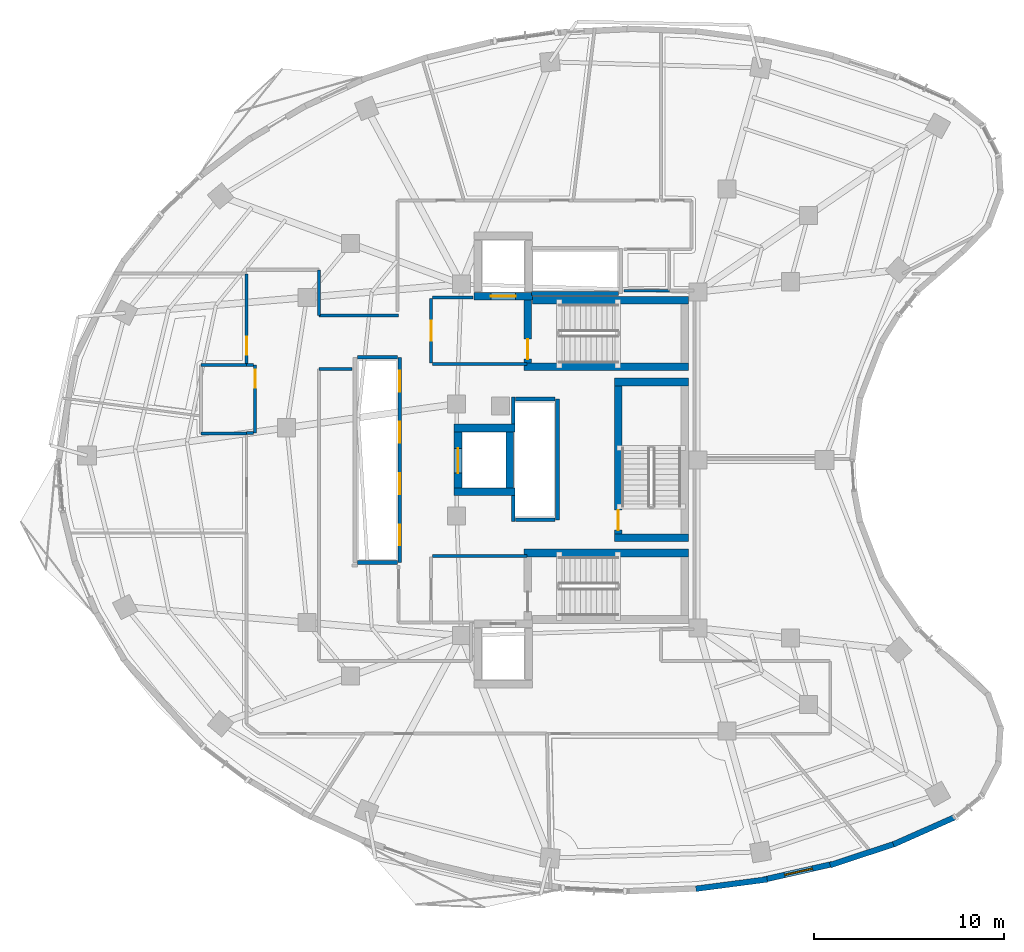
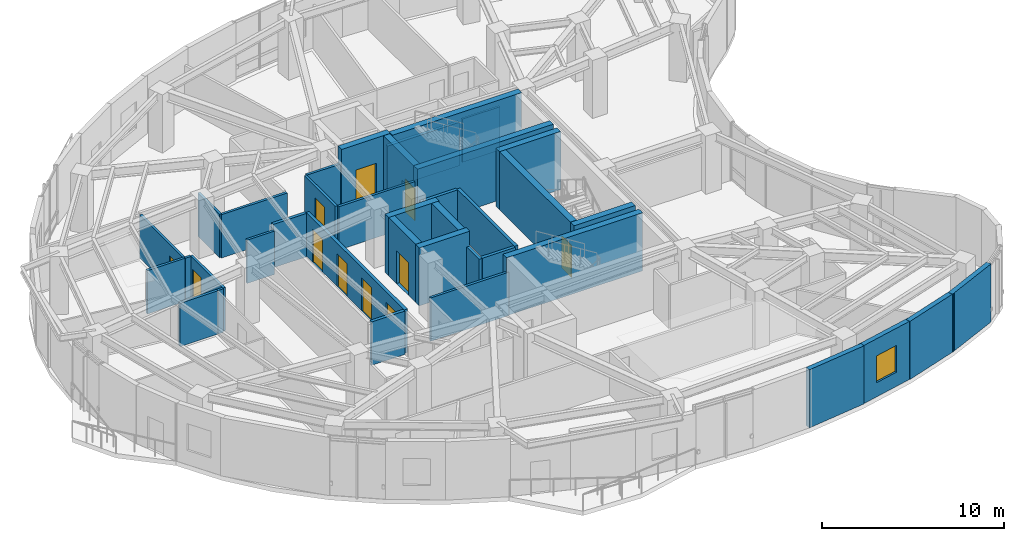
# One storey, part 9 of 15: 39 walls, 11 doors, 1 window, 12 openings.
"""IFC4 building model written with IfcOpenShell, lengths in metres."""

from ifc_helpers import new_model, si_unit, direction, frame, frame_2d, origin, place, context, subcontext, project, spatial, rectangle, extrude, material, layer, layer_set, type_object, element, fill, save


model = new_model("IFC4")

# Units and contexts
model_context = context("Model", 3, precision=1e-05, world=origin(), true_north=direction((0.0, 1.0)))
body_context = subcontext(model_context, "Body", "Model", "MODEL_VIEW")
ifc_project = project(units=[si_unit("LENGTHUNIT", "METRE"), si_unit("AREAUNIT", "SQUARE_METRE"), si_unit("VOLUMEUNIT", "CUBIC_METRE"), si_unit("PLANEANGLEUNIT", "RADIAN"), si_unit("MASSUNIT", "GRAM", prefix="KILO")], contexts=[model_context])

# Site, building, storey
site_placement = place(None, origin())
site = spatial("IfcSite", under=ifc_project, at=site_placement, CompositionType="ELEMENT")
building_placement = place(site_placement, origin())
building = spatial("IfcBuilding", under=site, at=building_placement, Name="Korentha Bioscience Tower", CompositionType="ELEMENT")
storey_placement = place(building_placement, frame((0.0, 0.0, 226.800048828125)))
storey = spatial("IfcBuildingStorey", under=building, at=storey_placement, Name="L52", CompositionType="ELEMENT", Elevation=226.800048828125)

# Wall, opening, door
ifc_material_1 = material(Name="Double-Stud Acoustic Gypsum", Category="gypsum")
ifc_layer_1 = layer(ifc_material_1, 0.14990234375, Name="Double-Stud Acoustic Gypsum")
ifc_layer_set_1 = layer_set([ifc_layer_1], Name="Double-Stud Acoustic Gypsum (IW-L150)")
wall_type_1 = type_object("IfcWallType", Name="Acoustic Laboratory Partition Wall 150", PredefinedType="PARTITIONING", material=ifc_layer_set_1)
wall_1_placement = place(storey_placement, frame((13.7900390625, 36.7919921875, 0.0), z_axis=(0.0, 0.0, 1.0), x_axis=(0.0, -1.0, 0.0)))
wall_1 = element("IfcWall", 1, at=wall_1_placement, inside=storey, type_object=wall_type_1, Name="L52 Neurobiology Electrophysiology Lab 11 Entrance Wall", PredefinedType="PARTITIONING", context=body_context, shape_type="SweptSolid", body=[
    extrude(rectangle(XDim=4.781982421875, YDim=0.14990234375, at=frame_2d((2.39111328125, 0.0))), origin(), (0.0, 0.0, 1.0), 2.909912109375),
])
opening_1_placement = place(wall_1_placement, frame((3.312255859375, 0.0, 0.0)))
opening_1 = element("IfcOpeningElement", 2, at=opening_1_placement, cuts=wall_1, Name="Opening ID-10L", PredefinedType="OPENING", context=body_context, shape_type="SweptSolid", body=[
    extrude(rectangle(XDim=0.949951171875, YDim=2.14990234375, at=frame_2d((0.47509765625, 1.074951171875))), frame((0.0, 0.08984375, 0.0), z_axis=(0.0, -1.0, 0.0), x_axis=(1.0, 0.0, 0.0)), (0.0, 0.0, 1.0), 0.1796875),
])
ifc_material_2 = material(Name="Phenolic Laminate Timber Core", Category="wood")
door_type_1 = type_object("IfcDoorType", Name="Laboratory Single Leaf Door 950x2150 Left", OperationType="SINGLE_SWING_LEFT", PredefinedType="DOOR", material=ifc_material_2)
door_1_placement = place(opening_1_placement, origin())
door_1 = element("IfcDoor", 3, at=door_1_placement, inside=storey, type_object=door_type_1, Name="L52 Neurobiology Electrophysiology Lab 11 Door", OperationType="SINGLE_SWING_LEFT", OverallHeight=2.14990234375, OverallWidth=0.949951171875, PredefinedType="DOOR", context=body_context, shape_type="SweptSolid", body=[
    extrude(rectangle(XDim=0.949951171875, YDim=2.14990234375, at=frame_2d((0.47509765625, 1.074951171875))), frame((0.0, 0.02490234375, 0.0), z_axis=(0.0, -1.0, 0.0), x_axis=(1.0, 0.0, 0.0)), (0.0, 0.0, 1.0), 0.050048828125),
])
fill(opening_1, door_1)

# Wall
wall_2_placement = place(storey_placement, frame((17.610107421875, 31.7900390625, 0.0), z_axis=(0.0, 0.0, 1.0), x_axis=(1.0, 0.0, 0.0)))
element("IfcWall", 4, at=wall_2_placement, inside=storey, type_object=wall_type_1, Name="L52 Interior Partition 028", PredefinedType="PARTITIONING", context=body_context, shape_type="SweptSolid", body=[
    extrude(rectangle(XDim=1.72998046875, YDim=0.14990234375, at=frame_2d((0.864990234375, 0.0))), origin(), (0.0, 0.0, 1.0), 2.909912109375),
])

# Wall, opening, door
ifc_material_3 = material(Name="Gypsum-Clad Steel Stud", Category="steel")
ifc_layer_2 = layer(ifc_material_3, 0.159912109375, Name="Gypsum-Clad Steel Stud")
ifc_layer_set_2 = layer_set([ifc_layer_2], Name="Gypsum-Clad Steel Stud (IW-C160)")
wall_type_2 = type_object("IfcWallType", Name="Fire-Rated Corridor Partition Wall 160", PredefinedType="PARTITIONING", material=ifc_layer_set_2)
wall_3_placement = place(storey_placement, frame((23.5, 32.10009765625, 0.0), z_axis=(0.0, 0.0, 1.0), x_axis=(0.0, 1.0, 0.0)))
wall_3 = element("IfcWall", 5, at=wall_3_placement, inside=storey, type_object=wall_type_2, Name="L52 FFLN-CW Rated Enclosure Wall", PredefinedType="PARTITIONING", context=body_context, shape_type="SweptSolid", body=[
    extrude(rectangle(XDim=3.39990234375, YDim=0.159912109375, at=frame_2d((1.699951171875, 0.0))), origin(), (0.0, 0.0, 1.0), 2.909912109375),
])
opening_2_placement = place(wall_3_placement, frame((1.175048828125, 0.0, 0.0)))
opening_2 = element("IfcOpeningElement", 6, at=opening_2_placement, cuts=wall_3, Name="Opening FD-90L", PredefinedType="OPENING", context=body_context, shape_type="SweptSolid", body=[
    extrude(rectangle(XDim=1.050048828125, YDim=2.14990234375, at=frame_2d((0.52490234375, 1.074951171875))), frame((0.0, 0.0947265625, 0.0), z_axis=(0.0, -1.0, 0.0), x_axis=(1.0, 0.0, 0.0)), (0.0, 0.0, 1.0), 0.189697265625),
])
ifc_material_4 = material(Name="Powder-Coated Fire-Rated Steel", Category="steel")
door_type_2 = type_object("IfcDoorType", Name="Stairwell Fire Exit Door 1050x2150 Left", OperationType="SINGLE_SWING_LEFT", PredefinedType="DOOR", material=ifc_material_4)
door_2_placement = place(opening_2_placement, origin())
door_2 = element("IfcDoor", 7, at=door_2_placement, inside=storey, type_object=door_type_2, Name="L52 North Firefighting Lobby Door", OperationType="SINGLE_SWING_LEFT", OverallHeight=2.14990234375, OverallWidth=1.050048828125, PredefinedType="DOOR", context=body_context, shape_type="SweptSolid", body=[
    extrude(rectangle(XDim=1.050048828125, YDim=2.14990234375, at=frame_2d((0.52490234375, 1.074951171875))), frame((0.0, 0.02490234375, 0.0), z_axis=(0.0, -1.0, 0.0), x_axis=(1.0, 0.0, 0.0)), (0.0, 0.0, 1.0), 0.050048828125),
])
fill(opening_2, door_2)

# Walls
wall_4_placement = place(storey_placement, frame((23.580078125, 32.050048828125, 0.0), z_axis=(0.0, 0.0, 1.0), x_axis=(1.0, 0.0, 0.0)))
element("IfcWall", 8, at=wall_4_placement, inside=storey, type_object=wall_type_2, Name="L52 Firefighting Lobby Return Wall FFLN-S", PredefinedType="PARTITIONING", context=body_context, shape_type="SweptSolid", body=[
    extrude(rectangle(XDim=4.969970703125, YDim=0.159912109375, at=frame_2d((2.48486328125, 0.0))), origin(), (0.0, 0.0, 1.0), 2.909912109375),
])
wall_5_placement = place(storey_placement, frame((23.580078125, 35.550048828125, 0.0), z_axis=(0.0, 0.0, 1.0), x_axis=(1.0, 0.0, 0.0)))
element("IfcWall", 9, at=wall_5_placement, inside=storey, type_object=wall_type_2, Name="L52 Firefighting Lobby Return Wall FFLN-N", PredefinedType="PARTITIONING", context=body_context, shape_type="SweptSolid", body=[
    extrude(rectangle(XDim=2.119873046875, YDim=0.159912109375, at=frame_2d((1.06005859375, 0.0))), origin(), (0.0, 0.0, 1.0), 2.909912109375),
])
wall_6_placement = place(storey_placement, frame((23.580078125, 21.949951171875, 0.0), z_axis=(0.0, 0.0, 1.0), x_axis=(1.0, 0.0, 0.0)))
element("IfcWall", 10, at=wall_6_placement, inside=storey, type_object=wall_type_2, Name="L52 Firefighting Lobby Return Wall FFLS-N", PredefinedType="PARTITIONING", context=body_context, shape_type="SweptSolid", body=[
    extrude(rectangle(XDim=4.969970703125, YDim=0.159912109375, at=frame_2d((2.48486328125, 0.0))), origin(), (0.0, 0.0, 1.0), 2.909912109375),
])

# Wall, opening, door
wall_7_placement = place(storey_placement, frame((14.239990234375, 31.989990234375, 0.0), z_axis=(0.0, 0.0, 1.0), x_axis=(0.0, -1.0, 0.0)))
wall_7 = element("IfcWall", 11, at=wall_7_placement, inside=storey, type_object=wall_type_2, Name="L52 Reclaimed Bank-1 North Data Closet Entrance Wall", PredefinedType="PARTITIONING", context=body_context, shape_type="SweptSolid", body=[
    extrude(rectangle(XDim=3.580078125, YDim=0.159912109375, at=frame_2d((1.7900390625, 0.0))), origin(), (0.0, 0.0, 1.0), 2.909912109375),
])
opening_3_placement = place(wall_7_placement, frame((0.239990234375, 0.0, 0.0)))
opening_3 = element("IfcOpeningElement", 12, at=opening_3_placement, cuts=wall_7, Name="Opening ID-10R", PredefinedType="OPENING", context=body_context, shape_type="SweptSolid", body=[
    extrude(rectangle(XDim=0.949951171875, YDim=2.14990234375, at=frame_2d((0.47509765625, 1.074951171875))), frame((0.0, 0.0947265625, 0.0), z_axis=(0.0, -1.0, 0.0), x_axis=(1.0, 0.0, 0.0)), (0.0, 0.0, 1.0), 0.189697265625),
])
door_type_3 = type_object("IfcDoorType", Name="Laboratory Single Leaf Door 950x2150 Right", OperationType="SINGLE_SWING_RIGHT", PredefinedType="DOOR", material=ifc_material_2)
door_3_placement = place(opening_3_placement, origin())
door_3 = element("IfcDoor", 13, at=door_3_placement, inside=storey, type_object=door_type_3, Name="L52 Reclaimed Bank-1 North Data Closet Door", OperationType="SINGLE_SWING_RIGHT", OverallHeight=2.14990234375, OverallWidth=0.949951171875, PredefinedType="DOOR", context=body_context, shape_type="SweptSolid", body=[
    extrude(rectangle(XDim=0.949951171875, YDim=2.14990234375, at=frame_2d((0.47509765625, 1.074951171875))), frame((0.0, 0.02490234375, 0.0), z_axis=(0.0, -1.0, 0.0), x_axis=(1.0, 0.0, 0.0)), (0.0, 0.0, 1.0), 0.050048828125),
])
fill(opening_3, door_3)

# Walls
for number, where, z_axis, x_axis, name in (
    (14, (13.800048828125, 31.989990234375, 0.0), (0.0, 0.0, 1.0), (1.0, 0.0, 0.0), "L52 Interior Partition 016"),
    (15, (14.156982421875, 28.409912109375, 0.0), (0.0, 0.0, 1.0), (-1.0, 0.0, 0.0), "L52 Interior Partition 017"),
):
    element("IfcWall", number, at=place(storey_placement, frame(where, z_axis=z_axis, x_axis=x_axis)), inside=storey, type_object=wall_type_2, Name=name, PredefinedType="PARTITIONING", context=body_context, shape_type="SweptSolid", body=[
        extrude(rectangle(XDim=0.35693359375, YDim=0.159912109375, at=frame_2d((0.178466796875, 0.0))), origin(), (0.0, 0.0, 1.0), 2.909912109375),
    ])
for number, where, z_axis, x_axis, name in (
    (16, (13.7900390625, 28.39990234375, 0.0), (0.0, 0.0, 1.0), (-1.0, 0.0, 0.0), "L52 Interior Partition 018"),
    (17, (11.39990234375, 32.0, 0.0), (0.0, 0.0, 1.0), (1.0, 0.0, 0.0), "L52 Interior Partition 020"),
):
    element("IfcWall", number, at=place(storey_placement, frame(where, z_axis=z_axis, x_axis=x_axis)), inside=storey, type_object=wall_type_2, Name=name, PredefinedType="PARTITIONING", context=body_context, shape_type="SweptSolid", body=[
        extrude(rectangle(XDim=2.39013671875, YDim=0.159912109375, at=frame_2d((1.195068359375, 0.0))), origin(), (0.0, 0.0, 1.0), 2.909912109375),
    ])
wall_8_placement = place(storey_placement, frame((21.7900390625, 34.610107421875, 0.0), z_axis=(0.0, 0.0, 1.0), x_axis=(-1.0, 0.0, 0.0)))
element("IfcWall", 18, at=wall_8_placement, inside=storey, type_object=wall_type_2, Name="L52 Interior Partition 051", PredefinedType="PARTITIONING", context=body_context, shape_type="SweptSolid", body=[
    extrude(rectangle(XDim=4.179931640625, YDim=0.159912109375, at=frame_2d((2.08984375, 0.0))), origin(), (0.0, 0.0, 1.0), 2.909912109375),
])
wall_9_placement = place(storey_placement, frame((17.610107421875, 34.610107421875, 0.0), z_axis=(0.0, 0.0, 1.0), x_axis=(0.0, 1.0, 0.0)))
element("IfcWall", 19, at=wall_9_placement, inside=storey, type_object=wall_type_2, Name="L52 Interior Partition 052", PredefinedType="PARTITIONING", context=body_context, shape_type="SweptSolid", body=[
    extrude(rectangle(XDim=2.389892578125, YDim=0.159912109375, at=frame_2d((1.19482421875, 0.0))), origin(), (0.0, 0.0, 1.0), 2.909912109375),
])

# Wall, opening, window
ifc_material_5 = material(Name="Honed Limestone Precast Concrete C40", Category="masonry")
ifc_layer_3 = layer(ifc_material_5, 0.300048828125, Name="Honed Limestone Precast Concrete C40")
ifc_layer_set_3 = layer_set([ifc_layer_3], Name="Honed Limestone Precast Concrete C40 (EW-ST300)")
wall_type_3 = type_object("IfcWallType", Name="Honed Limestone Cavity Spandrel Wall 300", PredefinedType="STANDARD", material=ifc_layer_set_3)
wall_10_placement = place(storey_placement, frame((41.03564453125, 4.913818359375, 0.0), z_axis=(0.0, 0.0, 1.0), x_axis=(0.975237678872, 0.221159376263, 0.0)))
wall_10 = element("IfcWall", 20, at=wall_10_placement, inside=storey, type_object=wall_type_3, Name="L52 Honed Limestone Spandrel Wall 34", PredefinedType="STANDARD", context=body_context, shape_type="SweptSolid", body=[
    extrude(rectangle(XDim=3.70263671875, YDim=0.300048828125, at=frame_2d((1.851318359375, 0.0))), origin(), (0.0, 0.0, 1.0), 3.89990234375),
])
opening_4_placement = place(wall_10_placement, frame((1.101318359375, 0.0, 0.949951171875)))
opening_4 = element("IfcOpeningElement", 21, at=opening_4_placement, cuts=wall_10, Name="Opening WN-02", PredefinedType="OPENING", context=body_context, shape_type="SweptSolid", body=[
    extrude(rectangle(XDim=1.5, YDim=1.800048828125, at=frame_2d((0.75, 0.89990234375))), frame((0.0, 0.1650390625, 0.0), z_axis=(0.0, -1.0, 0.0), x_axis=(1.0, 0.0, 0.0)), (0.0, 0.0, 1.0), 0.329833984375),
])
ifc_material_6 = material(Name="Thermally Broken Aluminium Triple Glazing", Category="aluminium")
window_type = type_object("IfcWindowType", Name="Acoustic Operable Office Window 1500x1800", PartitioningType="DOUBLE_PANEL_VERTICAL", PredefinedType="WINDOW", material=ifc_material_6)
window_placement = place(opening_4_placement, origin())
window = element("IfcWindow", 22, at=window_placement, inside=storey, type_object=window_type, Name="L52 Facade Window 34", OverallHeight=1.800048828125, OverallWidth=1.5, PartitioningType="DOUBLE_PANEL_VERTICAL", PredefinedType="WINDOW", context=body_context, shape_type="SweptSolid", body=[
    extrude(rectangle(XDim=1.5, YDim=1.800048828125, at=frame_2d((0.75, 0.89990234375))), frame((0.0, 0.030029296875, 0.0), z_axis=(0.0, -1.0, 0.0), x_axis=(1.0, 0.0, 0.0)), (0.0, 0.0, 1.0), 0.06005859375),
])
fill(opening_4, window)

# Walls
wall_11_placement = place(storey_placement, frame((37.43701171875, 4.427978515625, 0.0), z_axis=(0.0, 0.0, 1.0), x_axis=(0.991512801574, 0.130009093201, 0.0)))
element("IfcWall", 23, at=wall_11_placement, inside=storey, type_object=wall_type_3, Name="L52 Limestone Perimeter Closure Wall 33", PredefinedType="STANDARD", context=body_context, shape_type="SweptSolid", body=[
    extrude(rectangle(XDim=3.785888671875, YDim=0.300048828125, at=frame_2d((1.89306640625, 0.0))), origin(), (0.0, 0.0, 1.0), 3.89990234375),
])
wall_12_placement = place(storey_placement, frame((44.503662109375, 5.67138671875, 0.0), z_axis=(0.0, 0.0, 1.0), x_axis=(0.94972655205, 0.313080622734, 0.0)))
element("IfcWall", 24, at=wall_12_placement, inside=storey, type_object=wall_type_3, Name="L52 Limestone Perimeter Closure Wall 35", PredefinedType="STANDARD", context=body_context, shape_type="SweptSolid", body=[
    extrude(rectangle(XDim=3.67919921875, YDim=0.300048828125, at=frame_2d((1.839599609375, 0.0))), origin(), (0.0, 0.0, 1.0), 3.89990234375),
])
wall_13_placement = place(storey_placement, frame((47.835693359375, 6.7607421875, 0.0), z_axis=(0.0, 0.0, 1.0), x_axis=(0.913940198441, 0.405848880341, 0.0)))
element("IfcWall", 25, at=wall_13_placement, inside=storey, type_object=wall_type_3, Name="L52 Limestone Perimeter Closure Wall 36", PredefinedType="STANDARD", context=body_context, shape_type="SweptSolid", body=[
    extrude(rectangle(XDim=3.598388671875, YDim=0.300048828125, at=frame_2d((1.79931640625, 0.0))), origin(), (0.0, 0.0, 1.0), 3.89990234375),
])

# Wall, openings, doors
ifc_material_7 = material(Name="Autoclaved Aerated Concrete Block C25", Category="concrete")
ifc_layer_4 = layer(ifc_material_7, 0.199951171875, Name="Autoclaved Aerated Concrete Block C25")
ifc_layer_set_4 = layer_set([ifc_layer_4], Name="Autoclaved Aerated Concrete Block C25 (IW-S200)")
wall_type_4 = type_object("IfcWallType", Name="Lift and Riser Shaft Enclosure Wall 200", PredefinedType="PARTITIONING", material=ifc_layer_set_4)
wall_14_placement = place(storey_placement, frame((21.85009765625, 21.60009765625, 0.0), z_axis=(0.0, 0.0, 1.0), x_axis=(0.0, 1.0, 0.0)))
wall_14 = element("IfcWall", 26, at=wall_14_placement, inside=storey, type_object=wall_type_4, Name="L52 Lift Bank MID Shaft Wall +X", PredefinedType="PARTITIONING", context=body_context, shape_type="SweptSolid", body=[
    extrude(rectangle(XDim=10.7998046875, YDim=0.199951171875, at=frame_2d((5.39990234375, 0.0))), origin(), (0.0, 0.0, 1.0), 2.909912109375),
])
opening_5_placement = place(wall_14_placement, frame((0.89990234375, 0.0, 0.0)))
opening_5 = element("IfcOpeningElement", 27, at=opening_5_placement, cuts=wall_14, Name="Opening LD-11", PredefinedType="OPENING", context=body_context, shape_type="SweptSolid", body=[
    extrude(rectangle(XDim=1.10009765625, YDim=2.199951171875, at=frame_2d((0.550048828125, 1.10009765625))), frame((0.0, 0.11474609375, 0.0), z_axis=(0.0, -1.0, 0.0), x_axis=(1.0, 0.0, 0.0)), (0.0, 0.0, 1.0), 0.229736328125),
])
opening_6_placement = place(wall_14_placement, frame((3.60009765625, 0.0, 0.0)))
opening_6 = element("IfcOpeningElement", 28, at=opening_6_placement, cuts=wall_14, Name="Opening LD-11", PredefinedType="OPENING", context=body_context, shape_type="SweptSolid", body=[
    extrude(rectangle(XDim=1.10009765625, YDim=2.199951171875, at=frame_2d((0.550048828125, 1.10009765625))), frame((0.0, 0.11474609375, 0.0), z_axis=(0.0, -1.0, 0.0), x_axis=(1.0, 0.0, 0.0)), (0.0, 0.0, 1.0), 0.229736328125),
])
opening_7_placement = place(wall_14_placement, frame((6.300048828125, 0.0, 0.0)))
opening_7 = element("IfcOpeningElement", 29, at=opening_7_placement, cuts=wall_14, Name="Opening LD-11", PredefinedType="OPENING", context=body_context, shape_type="SweptSolid", body=[
    extrude(rectangle(XDim=1.10009765625, YDim=2.199951171875, at=frame_2d((0.550048828125, 1.10009765625))), frame((0.0, 0.11474609375, 0.0), z_axis=(0.0, -1.0, 0.0), x_axis=(1.0, 0.0, 0.0)), (0.0, 0.0, 1.0), 0.229736328125),
])
opening_8_placement = place(wall_14_placement, frame((9.0, 0.0, 0.0)))
opening_8 = element("IfcOpeningElement", 30, at=opening_8_placement, cuts=wall_14, Name="Opening LD-11", PredefinedType="OPENING", context=body_context, shape_type="SweptSolid", body=[
    extrude(rectangle(XDim=1.10009765625, YDim=2.199951171875, at=frame_2d((0.550048828125, 1.10009765625))), frame((0.0, 0.11474609375, 0.0), z_axis=(0.0, -1.0, 0.0), x_axis=(1.0, 0.0, 0.0)), (0.0, 0.0, 1.0), 0.229736328125),
])
ifc_material_8 = material(Name="Brushed Stainless Steel 304", Category="steel")
door_type_4 = type_object("IfcDoorType", Name="Passenger Lift Sliding Landing Door 1100x2200", OperationType="DOUBLE_DOOR_SLIDING", PredefinedType="DOOR", material=ifc_material_8)
door_4_placement = place(opening_5_placement, origin())
door_4 = element("IfcDoor", 31, at=door_4_placement, inside=storey, type_object=door_type_4, Name="L52 PL-M1 Sliding Lift Landing Door", OperationType="DOUBLE_DOOR_SLIDING", OverallHeight=2.199951171875, OverallWidth=1.10009765625, PredefinedType="DOOR", context=body_context, shape_type="SweptSolid", body=[
    extrude(rectangle(XDim=1.10009765625, YDim=2.199951171875, at=frame_2d((0.550048828125, 1.10009765625))), frame((0.0, 0.02490234375, 0.0), z_axis=(0.0, -1.0, 0.0), x_axis=(1.0, 0.0, 0.0)), (0.0, 0.0, 1.0), 0.050048828125),
])
fill(opening_5, door_4)
door_5_placement = place(opening_6_placement, origin())
door_5 = element("IfcDoor", 32, at=door_5_placement, inside=storey, type_object=door_type_4, Name="L52 PL-M2 Sliding Lift Landing Door", OperationType="DOUBLE_DOOR_SLIDING", OverallHeight=2.199951171875, OverallWidth=1.10009765625, PredefinedType="DOOR", context=body_context, shape_type="SweptSolid", body=[
    extrude(rectangle(XDim=1.10009765625, YDim=2.199951171875, at=frame_2d((0.550048828125, 1.10009765625))), frame((0.0, 0.02490234375, 0.0), z_axis=(0.0, -1.0, 0.0), x_axis=(1.0, 0.0, 0.0)), (0.0, 0.0, 1.0), 0.050048828125),
])
fill(opening_6, door_5)
door_6_placement = place(opening_7_placement, origin())
door_6 = element("IfcDoor", 33, at=door_6_placement, inside=storey, type_object=door_type_4, Name="L52 PL-M3 Sliding Lift Landing Door", OperationType="DOUBLE_DOOR_SLIDING", OverallHeight=2.199951171875, OverallWidth=1.10009765625, PredefinedType="DOOR", context=body_context, shape_type="SweptSolid", body=[
    extrude(rectangle(XDim=1.10009765625, YDim=2.199951171875, at=frame_2d((0.550048828125, 1.10009765625))), frame((0.0, 0.02490234375, 0.0), z_axis=(0.0, -1.0, 0.0), x_axis=(1.0, 0.0, 0.0)), (0.0, 0.0, 1.0), 0.050048828125),
])
fill(opening_7, door_6)
door_7_placement = place(opening_8_placement, origin())
door_7 = element("IfcDoor", 34, at=door_7_placement, inside=storey, type_object=door_type_4, Name="L52 PL-M4 Sliding Lift Landing Door", OperationType="DOUBLE_DOOR_SLIDING", OverallHeight=2.199951171875, OverallWidth=1.10009765625, PredefinedType="DOOR", context=body_context, shape_type="SweptSolid", body=[
    extrude(rectangle(XDim=1.10009765625, YDim=2.199951171875, at=frame_2d((0.550048828125, 1.10009765625))), frame((0.0, 0.02490234375, 0.0), z_axis=(0.0, -1.0, 0.0), x_axis=(1.0, 0.0, 0.0)), (0.0, 0.0, 1.0), 0.050048828125),
])
fill(opening_8, door_7)

# Walls
for number, where, z_axis, x_axis, name in (
    (35, (19.6201171875, 21.60009765625, 0.0), (0.0, 0.0, 1.0), (1.0, 0.0, 0.0), "L52 Lift Bank MID Shaft Wall -Y"),
    (36, (19.6201171875, 32.39990234375, 0.0), (0.0, 0.0, 1.0), (1.0, 0.0, 0.0), "L52 Lift Bank MID Shaft Wall +Y"),
):
    element("IfcWall", number, at=place(storey_placement, frame(where, z_axis=z_axis, x_axis=x_axis)), inside=storey, type_object=wall_type_4, Name=name, PredefinedType="PARTITIONING", context=body_context, shape_type="SweptSolid", body=[
        extrude(rectangle(XDim=2.10986328125, YDim=0.199951171875, at=frame_2d((1.054931640625, 0.0))), origin(), (0.0, 0.0, 1.0), 2.909912109375),
    ])
wall_15_placement = place(storey_placement, frame((27.830078125, 23.75, 0.0), z_axis=(0.0, 0.0, 1.0), x_axis=(0.0, 1.0, 0.0)))
element("IfcWall", 37, at=wall_15_placement, inside=storey, type_object=wall_type_4, Name="L52 Lift Bank HIGH Shaft Wall -XS", PredefinedType="PARTITIONING", context=body_context, shape_type="SweptSolid", body=[
    extrude(rectangle(XDim=1.365966796875, YDim=0.199951171875, at=frame_2d((0.68310546875, 0.0))), origin(), (0.0, 0.0, 1.0), 2.909912109375),
])
wall_16_placement = place(storey_placement, frame((27.830078125, 28.884033203125, 0.0), z_axis=(0.0, 0.0, 1.0), x_axis=(0.0, 1.0, 0.0)))
element("IfcWall", 38, at=wall_16_placement, inside=storey, type_object=wall_type_4, Name="L52 Lift Bank HIGH Shaft Wall -XN", PredefinedType="PARTITIONING", context=body_context, shape_type="SweptSolid", body=[
    extrude(rectangle(XDim=1.416015625, YDim=0.199951171875, at=frame_2d((0.7080078125, 0.0))), origin(), (0.0, 0.0, 1.0), 2.909912109375),
])
wall_17_placement = place(storey_placement, frame((30.14990234375, 23.85009765625, 0.0), z_axis=(0.0, 0.0, 1.0), x_axis=(0.0, 1.0, 0.0)))
element("IfcWall", 39, at=wall_17_placement, inside=storey, type_object=wall_type_4, Name="L52 Lift Bank HIGH Shaft Wall +X", PredefinedType="PARTITIONING", context=body_context, shape_type="SweptSolid", body=[
    extrude(rectangle(XDim=6.349853515625, YDim=0.199951171875, at=frame_2d((3.1748046875, 0.0))), origin(), (0.0, 0.0, 1.0), 2.909912109375),
])
for number, where, z_axis, x_axis, name in (
    (40, (27.93408203125, 23.85009765625, 0.0), (0.0, 0.0, 1.0), (1.0, 0.0, 0.0), "L52 Lift Bank HIGH Shaft Wall -Y"),
    (41, (27.93408203125, 30.199951171875, 0.0), (0.0, 0.0, 1.0), (1.0, 0.0, 0.0), "L52 Lift Bank HIGH Shaft Wall +Y"),
):
    element("IfcWall", number, at=place(storey_placement, frame(where, z_axis=z_axis, x_axis=x_axis)), inside=storey, type_object=wall_type_4, Name=name, PredefinedType="PARTITIONING", context=body_context, shape_type="SweptSolid", body=[
        extrude(rectangle(XDim=2.095947265625, YDim=0.199951171875, at=frame_2d((1.0478515625, 0.0))), origin(), (0.0, 0.0, 1.0), 2.909912109375),
    ])
wall_18_placement = place(storey_placement, frame((28.800048828125, 35.760009765625, 0.0), z_axis=(0.0, 0.0, 1.0), x_axis=(1.0, 0.0, 0.0)))
element("IfcWall", 42, at=wall_18_placement, inside=storey, type_object=wall_type_4, Name="L52 Lift Bank OBS Shaft Wall -Y", PredefinedType="PARTITIONING", context=body_context, shape_type="SweptSolid", body=[
    extrude(rectangle(XDim=4.570068359375, YDim=0.199951171875, at=frame_2d((2.28515625, 0.0))), origin(), (0.0, 0.0, 1.0), 2.909912109375),
])
ifc_material_9 = material(Name="Concrete C65", Category="concrete")
ifc_layer_5 = layer(ifc_material_9, 0.39990234375, Name="Concrete C65")
ifc_layer_set_5 = layer_set([ifc_layer_5], Name="Concrete C65 (CW-C65)")
wall_type_5 = type_object("IfcWallType", Name="Mid-Rise Core Shear Wall 400", PredefinedType="SHEAR", material=ifc_layer_set_5)
wall_19_placement = place(storey_placement, frame((28.85205078125, 35.39990234375, 0.0), z_axis=(0.0, 0.0, 1.0), x_axis=(1.0, 0.0, 0.0)))
element("IfcWall", 43, at=wall_19_placement, inside=storey, type_object=wall_type_5, Name="L52 Core Shear Wall ST1-N", PredefinedType="SHEAR", context=body_context, shape_type="SweptSolid", body=[
    extrude(rectangle(XDim=8.197998046875, YDim=0.39990234375, at=frame_2d((4.09912109375, 0.0))), origin(), (0.0, 0.0, 1.0), 3.89990234375),
])
wall_20_placement = place(storey_placement, frame((28.39990234375, 31.89990234375, 0.0), z_axis=(0.0, 0.0, 1.0), x_axis=(1.0, 0.0, 0.0)))
element("IfcWall", 44, at=wall_20_placement, inside=storey, type_object=wall_type_5, Name="L52 Core Shear Wall ST1-S", PredefinedType="SHEAR", context=body_context, shape_type="SweptSolid", body=[
    extrude(rectangle(XDim=8.650146484375, YDim=0.39990234375, at=frame_2d((4.3251953125, 0.0))), origin(), (0.0, 0.0, 1.0), 3.89990234375),
])

# Wall, opening, door
wall_21_placement = place(storey_placement, frame((28.60009765625, 32.110107421875, 0.0), z_axis=(0.0, 0.0, 1.0), x_axis=(0.0, 1.0, 0.0)))
wall_21 = element("IfcWall", 45, at=wall_21_placement, inside=storey, type_object=wall_type_5, Name="L52 Core Shear Wall ST1-W", PredefinedType="SHEAR", context=body_context, shape_type="SweptSolid", body=[
    extrude(rectangle(XDim=3.307861328125, YDim=0.39990234375, at=frame_2d((1.65380859375, 0.0))), origin(), (0.0, 0.0, 1.0), 3.89990234375),
])
opening_9_placement = place(wall_21_placement, frame((0.199951171875, 0.0, 0.0)))
opening_9 = element("IfcOpeningElement", 46, at=opening_9_placement, cuts=wall_21, Name="Opening FD-90L", PredefinedType="OPENING", context=body_context, shape_type="SweptSolid", body=[
    extrude(rectangle(XDim=1.050048828125, YDim=2.14990234375, at=frame_2d((0.52490234375, 1.074951171875))), frame((0.0, 0.21484375, 0.0), z_axis=(0.0, -1.0, 0.0), x_axis=(1.0, 0.0, 0.0)), (0.0, 0.0, 1.0), 0.4296875),
])
door_8_placement = place(opening_9_placement, origin())
door_8 = element("IfcDoor", 47, at=door_8_placement, inside=storey, type_object=door_type_2, Name="L52 ST-1 Fire Exit Stair Door", OperationType="SINGLE_SWING_LEFT", OverallHeight=2.14990234375, OverallWidth=1.050048828125, PredefinedType="DOOR", context=body_context, shape_type="SweptSolid", body=[
    extrude(rectangle(XDim=1.050048828125, YDim=2.14990234375, at=frame_2d((0.52490234375, 1.074951171875))), frame((0.0, 0.02490234375, 0.0), z_axis=(0.0, -1.0, 0.0), x_axis=(1.0, 0.0, 0.0)), (0.0, 0.0, 1.0), 0.050048828125),
])
fill(opening_9, door_8)

# Walls
wall_22_placement = place(storey_placement, frame((28.39990234375, 22.10009765625, 0.0), z_axis=(0.0, 0.0, 1.0), x_axis=(1.0, 0.0, 0.0)))
element("IfcWall", 48, at=wall_22_placement, inside=storey, type_object=wall_type_5, Name="L52 Core Shear Wall ST2-N", PredefinedType="SHEAR", context=body_context, shape_type="SweptSolid", body=[
    extrude(rectangle(XDim=8.650146484375, YDim=0.39990234375, at=frame_2d((4.3251953125, 0.0))), origin(), (0.0, 0.0, 1.0), 3.89990234375),
])
for number, where, z_axis, x_axis, name in (
    (49, (33.14990234375, 31.10009765625, 0.0), (0.0, 0.0, 1.0), (1.0, 0.0, 0.0), "L52 Core Shear Wall ST3-N"),
    (50, (33.14990234375, 22.89990234375, 0.0), (0.0, 0.0, 1.0), (1.0, 0.0, 0.0), "L52 Core Shear Wall ST3-S"),
):
    element("IfcWall", number, at=place(storey_placement, frame(where, z_axis=z_axis, x_axis=x_axis)), inside=storey, type_object=wall_type_5, Name=name, PredefinedType="SHEAR", context=body_context, shape_type="SweptSolid", body=[
        extrude(rectangle(XDim=3.900146484375, YDim=0.39990234375, at=frame_2d((1.9501953125, 0.0))), origin(), (0.0, 0.0, 1.0), 3.89990234375),
    ])

# Wall, opening, door
wall_23_placement = place(storey_placement, frame((33.35009765625, 23.110107421875, 0.0), z_axis=(0.0, 0.0, 1.0), x_axis=(0.0, 1.0, 0.0)))
wall_23 = element("IfcWall", 51, at=wall_23_placement, inside=storey, type_object=wall_type_5, Name="L52 Core Shear Wall ST3-W", PredefinedType="SHEAR", context=body_context, shape_type="SweptSolid", body=[
    extrude(rectangle(XDim=7.77978515625, YDim=0.39990234375, at=frame_2d((3.889892578125, 0.0))), origin(), (0.0, 0.0, 1.0), 3.89990234375),
])
opening_10_placement = place(wall_23_placement, frame((0.199951171875, 0.0, 0.0)))
opening_10 = element("IfcOpeningElement", 52, at=opening_10_placement, cuts=wall_23, Name="Opening FD-90L", PredefinedType="OPENING", context=body_context, shape_type="SweptSolid", body=[
    extrude(rectangle(XDim=1.050048828125, YDim=2.14990234375, at=frame_2d((0.52490234375, 1.074951171875))), frame((0.0, 0.21484375, 0.0), z_axis=(0.0, -1.0, 0.0), x_axis=(1.0, 0.0, 0.0)), (0.0, 0.0, 1.0), 0.4296875),
])
door_9_placement = place(opening_10_placement, origin())
door_9 = element("IfcDoor", 53, at=door_9_placement, inside=storey, type_object=door_type_2, Name="L52 ST-3 Fire Exit Stair Door", OperationType="SINGLE_SWING_LEFT", OverallHeight=2.14990234375, OverallWidth=1.050048828125, PredefinedType="DOOR", context=body_context, shape_type="SweptSolid", body=[
    extrude(rectangle(XDim=1.050048828125, YDim=2.14990234375, at=frame_2d((0.52490234375, 1.074951171875))), frame((0.0, 0.02490234375, 0.0), z_axis=(0.0, -1.0, 0.0), x_axis=(1.0, 0.0, 0.0)), (0.0, 0.0, 1.0), 0.050048828125),
])
fill(opening_10, door_9)

wall_24_placement = place(storey_placement, frame((25.75, 35.6201171875, 0.0), z_axis=(0.0, 0.0, 1.0), x_axis=(1.0, 0.0, 0.0)))
wall_24 = element("IfcWall", 54, at=wall_24_placement, inside=storey, type_object=wall_type_5, Name="L52 Core Shear Wall FFL2-S", PredefinedType="SHEAR", context=body_context, shape_type="SweptSolid", body=[
    extrude(rectangle(XDim=3.10009765625, YDim=0.39990234375, at=frame_2d((1.550048828125, 0.0))), origin(), (0.0, 0.0, 1.0), 3.89990234375),
])
opening_11_placement = place(wall_24_placement, frame((0.89990234375, 0.0, 0.0)))
opening_11 = element("IfcOpeningElement", 55, at=opening_11_placement, cuts=wall_24, Name="Opening LD-13", PredefinedType="OPENING", context=body_context, shape_type="SweptSolid", body=[
    extrude(rectangle(XDim=1.300048828125, YDim=2.199951171875, at=frame_2d((0.64990234375, 1.10009765625))), frame((0.0, 0.21484375, 0.0), z_axis=(0.0, -1.0, 0.0), x_axis=(1.0, 0.0, 0.0)), (0.0, 0.0, 1.0), 0.4296875),
])
ifc_material_10 = material(Name="Brushed Stainless Steel 316", Category="steel")
door_type_5 = type_object("IfcDoorType", Name="Service & Firefighting Lift Landing Door 1300x2300", OperationType="DOUBLE_DOOR_SLIDING", PredefinedType="DOOR", material=ifc_material_10)
door_10_placement = place(opening_11_placement, origin())
door_10 = element("IfcDoor", 56, at=door_10_placement, inside=storey, type_object=door_type_5, Name="L52 FFL-2 Sliding Lift Landing Door", OperationType="DOUBLE_DOOR_SLIDING", OverallHeight=2.199951171875, OverallWidth=1.300048828125, PredefinedType="DOOR", context=body_context, shape_type="SweptSolid", body=[
    extrude(rectangle(XDim=1.300048828125, YDim=2.199951171875, at=frame_2d((0.64990234375, 1.10009765625))), frame((0.0, 0.02490234375, 0.0), z_axis=(0.0, -1.0, 0.0), x_axis=(1.0, 0.0, 0.0)), (0.0, 0.0, 1.0), 0.050048828125),
])
fill(opening_11, door_10)

# Walls
for number, where, z_axis, x_axis, name in (
    (57, (24.719970703125, 28.679931640625, 0.0), (0.0, 0.0, 1.0), (1.0, 0.0, 0.0), "L52 Core Shear Wall SVL1-N"),
    (58, (24.719970703125, 25.320068359375, 0.0), (0.0, 0.0, 1.0), (1.0, 0.0, 0.0), "L52 Core Shear Wall SVL1-S"),
):
    element("IfcWall", number, at=place(storey_placement, frame(where, z_axis=z_axis, x_axis=x_axis)), inside=storey, type_object=wall_type_5, Name=name, PredefinedType="SHEAR", context=body_context, shape_type="SweptSolid", body=[
        extrude(rectangle(XDim=3.2099609375, YDim=0.39990234375, at=frame_2d((1.60498046875, 0.0))), origin(), (0.0, 0.0, 1.0), 3.89990234375),
    ])

# Wall, opening, door
wall_25_placement = place(storey_placement, frame((24.919921875, 25.52197265625, 0.0), z_axis=(0.0, 0.0, 1.0), x_axis=(0.0, 1.0, 0.0)))
wall_25 = element("IfcWall", 59, at=wall_25_placement, inside=storey, type_object=wall_type_5, Name="L52 Core Shear Wall SVL1-W", PredefinedType="SHEAR", context=body_context, shape_type="SweptSolid", body=[
    extrude(rectangle(XDim=2.9560546875, YDim=0.39990234375, at=frame_2d((1.47802734375, 0.0))), origin(), (0.0, 0.0, 1.0), 3.89990234375),
])
opening_12_placement = place(wall_25_placement, frame((0.7900390625, 0.0, 0.0)))
opening_12 = element("IfcOpeningElement", 60, at=opening_12_placement, cuts=wall_25, Name="Opening LD-13", PredefinedType="OPENING", context=body_context, shape_type="SweptSolid", body=[
    extrude(rectangle(XDim=1.300048828125, YDim=2.199951171875, at=frame_2d((0.64990234375, 1.10009765625))), frame((0.0, 0.21484375, 0.0), z_axis=(0.0, -1.0, 0.0), x_axis=(1.0, 0.0, 0.0)), (0.0, 0.0, 1.0), 0.4296875),
])
door_11_placement = place(opening_12_placement, origin())
door_11 = element("IfcDoor", 61, at=door_11_placement, inside=storey, type_object=door_type_5, Name="L52 SVL-1 Sliding Lift Landing Door", OperationType="DOUBLE_DOOR_SLIDING", OverallHeight=2.199951171875, OverallWidth=1.300048828125, PredefinedType="DOOR", context=body_context, shape_type="SweptSolid", body=[
    extrude(rectangle(XDim=1.300048828125, YDim=2.199951171875, at=frame_2d((0.64990234375, 1.10009765625))), frame((0.0, 0.02490234375, 0.0), z_axis=(0.0, -1.0, 0.0), x_axis=(1.0, 0.0, 0.0)), (0.0, 0.0, 1.0), 0.050048828125),
])
fill(opening_12, door_11)

# Walls
wall_26_placement = place(storey_placement, frame((27.64990234375, 25.52197265625, 0.0), z_axis=(0.0, 0.0, 1.0), x_axis=(0.0, 1.0, 0.0)))
element("IfcWall", 62, at=wall_26_placement, inside=storey, type_object=wall_type_5, Name="L52 Core Shear Wall SVL1-E", PredefinedType="SHEAR", context=body_context, shape_type="SweptSolid", body=[
    extrude(rectangle(XDim=2.9560546875, YDim=0.39990234375, at=frame_2d((1.47802734375, 0.0))), origin(), (0.0, 0.0, 1.0), 3.89990234375),
])
ifc_material_11 = material(Name="Cement-Board Steel Stud", Category="steel")
ifc_layer_6 = layer(ifc_material_11, 0.1298828125, Name="Cement-Board Steel Stud")
ifc_layer_set_6 = layer_set([ifc_layer_6], Name="Cement-Board Steel Stud (IW-W130)")
wall_type_6 = type_object("IfcWallType", Name="Wet-Area Moisture-Resistant Partition 130", PredefinedType="PARTITIONING", material=ifc_layer_set_6)
wall_27_placement = place(storey_placement, frame((36.050048828125, 35.909912109375, 0.0), z_axis=(0.0, 0.0, 1.0), x_axis=(-1.0, 0.0, 0.0)))
element("IfcWall", 63, at=wall_27_placement, inside=storey, type_object=wall_type_6, Name="L52 Interior Partition 014", PredefinedType="PARTITIONING", context=body_context, shape_type="SweptSolid", body=[
    extrude(rectangle(XDim=2.400146484375, YDim=0.1298828125, at=frame_2d((1.2001953125, 0.0))), origin(), (0.0, 0.0, 1.0), 2.909912109375),
])

save(model, "model.ifc")
